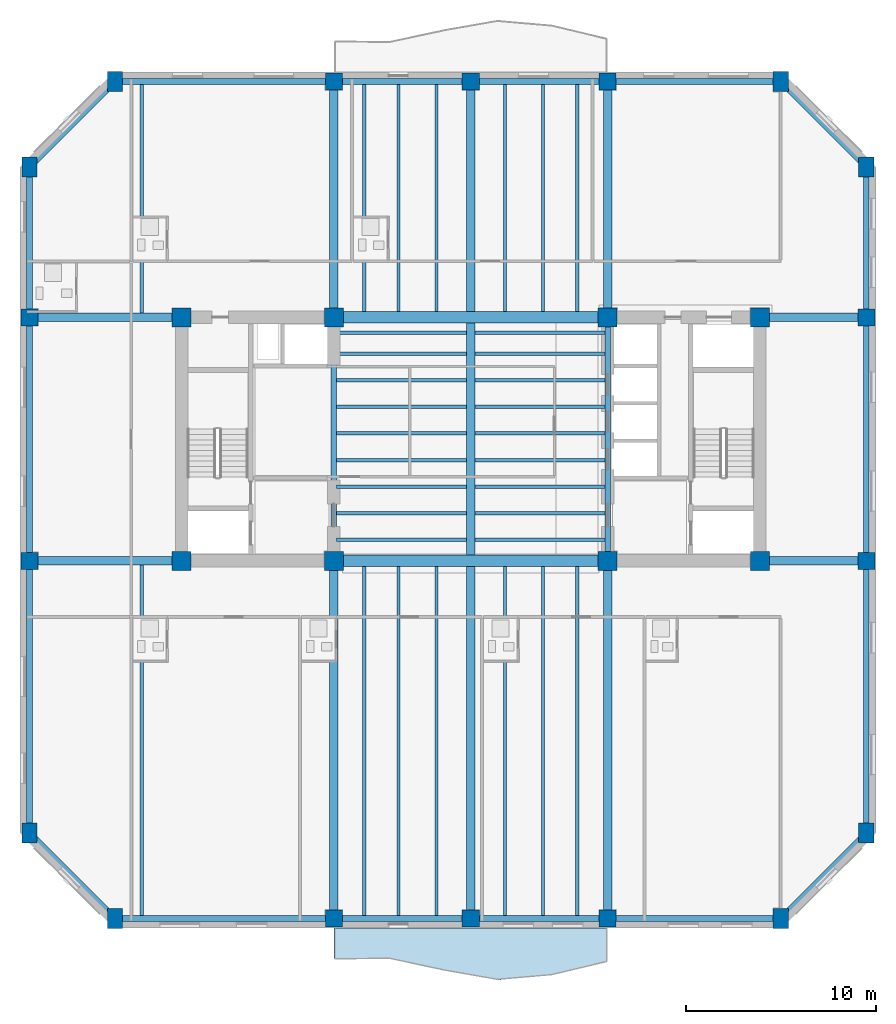
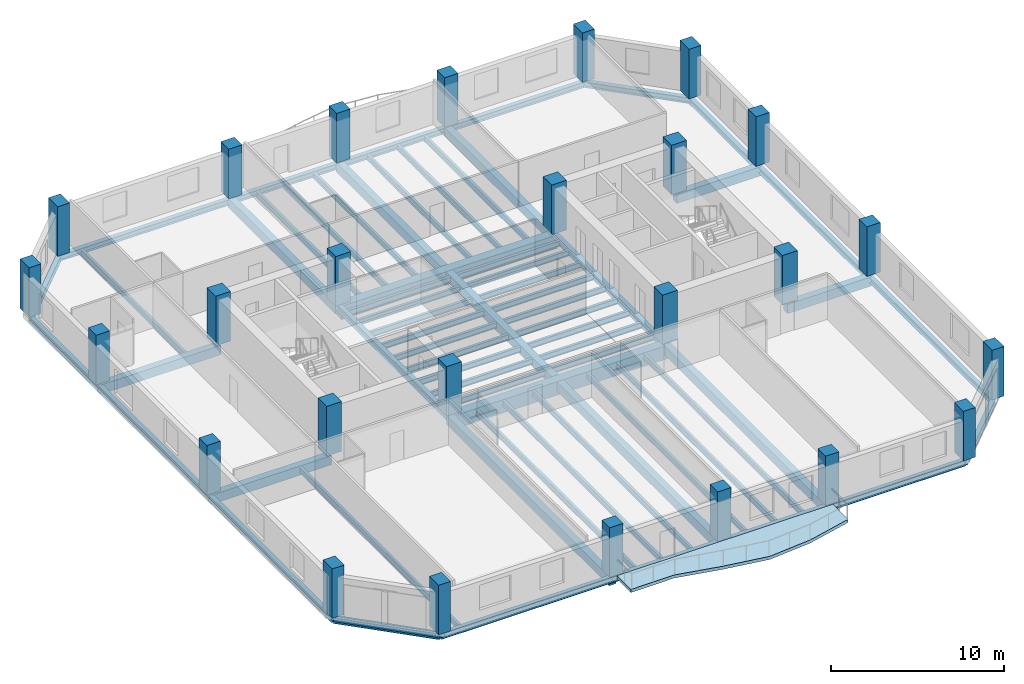
# One storey, part 1 of 10: 65 beams, 26 columns, 1 slab.
"""IFC4 building model written with IfcOpenShell, lengths in metres."""

from ifc_helpers import new_model, si_unit, direction, frame, origin, origin_2d, place, context, subcontext, project, spatial, polyline, rectangle, i_section, outline, extrude, material, layer, layer_set, material_profile, profile_set, type_object, element, save


model = new_model("IFC4")

# Units and contexts
model_context = context("Model", 3, precision=1e-05, world=origin(), true_north=direction((0.0, 1.0)))
body_context = subcontext(model_context, "Body", "Model", "MODEL_VIEW")
ifc_project = project(units=[si_unit("LENGTHUNIT", "METRE"), si_unit("AREAUNIT", "SQUARE_METRE"), si_unit("VOLUMEUNIT", "CUBIC_METRE"), si_unit("PLANEANGLEUNIT", "RADIAN"), si_unit("MASSUNIT", "GRAM", prefix="KILO")], contexts=[model_context])

# Site, building, storey
site_placement = place(None, origin())
site = spatial("IfcSite", under=ifc_project, at=site_placement, CompositionType="ELEMENT")
building_placement = place(site_placement, origin())
building = spatial("IfcBuilding", under=site, at=building_placement, Name="Kranthara Brick Stack", CompositionType="ELEMENT")
storey_placement = place(building_placement, frame((0.0, 0.0, 127.300048828125)))
storey = spatial("IfcBuildingStorey", under=building, at=storey_placement, Name="L31", CompositionType="ELEMENT", Elevation=127.300048828125)

# Columns
ifc_material_1 = material(Name="Concrete C60/75", Category="concrete")
ifc_material_profile_1 = material_profile(ifc_material_1, rectangle(XDim=0.800048828125, YDim=1.050048828125, at=origin_2d()), Name="RC 800x1050")
ifc_profile_set_1 = profile_set([ifc_material_profile_1], Name="Concrete C60/75")
column_type_1 = type_object("IfcColumnType", Name="COL-CHAM-800x1050", PredefinedType="COLUMN", material=ifc_profile_set_1)
for number, where, z_axis, x_axis, name in (
    (1, (9.300048828125, 2.0, 0.0), (0.0, 0.0, 1.0), (1.0, 0.0, 0.0), "L31 Column 09"),
    (2, (9.300048828125, 46.0, 0.0), (0.0, 0.0, 1.0), (1.0, 0.0, 0.0), "L31 Column 10"),
    (3, (44.300048828125, 2.0, 0.0), (0.0, 0.0, 1.0), (1.0, 0.0, 0.0), "L31 Column 17"),
    (4, (44.300048828125, 46.0, 0.0), (0.0, 0.0, 1.0), (1.0, 0.0, 0.0), "L31 Column 18"),
    (5, (4.800048828125, 6.5, 0.0), (0.0, 0.0, 1.0), (1.0, 0.0, 0.0), "L31 Column 19"),
    (6, (48.800048828125, 6.5, 0.0), (0.0, 0.0, 1.0), (1.0, 0.0, 0.0), "L31 Column 20"),
    (7, (4.800048828125, 41.5, 0.0), (0.0, 0.0, 1.0), (1.0, 0.0, 0.0), "L31 Column 25"),
    (8, (48.800048828125, 41.5, 0.0), (0.0, 0.0, 1.0), (1.0, 0.0, 0.0), "L31 Column 26"),
):
    element("IfcColumn", number, at=place(storey_placement, frame(where, z_axis=z_axis, x_axis=x_axis)), inside=storey, type_object=column_type_1, Name=name, PredefinedType="COLUMN", context=body_context, shape_type="SweptSolid", body=[
        extrude(rectangle(XDim=0.800048828125, YDim=1.050048828125, at=origin_2d()), origin(), (0.0, 0.0, 1.0), 3.5),
    ])
ifc_material_2 = material(Name="Concrete C60/75", Category="concrete")
ifc_material_profile_2 = material_profile(ifc_material_2, rectangle(XDim=1.0, YDim=1.0, at=origin_2d()), Name="RC 1000x1000")
ifc_profile_set_2 = profile_set([ifc_material_profile_2], Name="Concrete C60/75")
column_type_2 = type_object("IfcColumnType", Name="COL-CORE-1000", PredefinedType="COLUMN", material=ifc_profile_set_2)
for number, where, z_axis, x_axis, name in (
    (9, (12.800048828125, 20.800048828125, 0.0), (0.0, 0.0, 1.0), (1.0, 0.0, 0.0), "L31 Column 01"),
    (10, (20.800048828125, 20.800048828125, 0.0), (0.0, 0.0, 1.0), (1.0, 0.0, 0.0), "L31 Column 02"),
    (11, (12.800048828125, 33.60009765625, 0.0), (0.0, 0.0, 1.0), (1.0, 0.0, 0.0), "L31 Column 03"),
    (12, (20.800048828125, 33.60009765625, 0.0), (0.0, 0.0, 1.0), (1.0, 0.0, 0.0), "L31 Column 04"),
    (13, (35.199951171875, 20.800048828125, 0.0), (0.0, 0.0, 1.0), (1.0, 0.0, 0.0), "L31 Column 05"),
    (14, (43.199951171875, 20.800048828125, 0.0), (0.0, 0.0, 1.0), (1.0, 0.0, 0.0), "L31 Column 06"),
    (15, (35.199951171875, 33.60009765625, 0.0), (0.0, 0.0, 1.0), (1.0, 0.0, 0.0), "L31 Column 07"),
    (16, (43.199951171875, 33.60009765625, 0.0), (0.0, 0.0, 1.0), (1.0, 0.0, 0.0), "L31 Column 08"),
):
    element("IfcColumn", number, at=place(storey_placement, frame(where, z_axis=z_axis, x_axis=x_axis)), inside=storey, type_object=column_type_2, Name=name, PredefinedType="COLUMN", context=body_context, shape_type="SweptSolid", body=[
        extrude(rectangle(XDim=1.0, YDim=1.0, at=origin_2d()), origin(), (0.0, 0.0, 1.0), 3.5),
    ])
ifc_material_3 = material(Name="Concrete C60/75", Category="concrete")
ifc_material_profile_3 = material_profile(ifc_material_3, rectangle(XDim=0.89990234375, YDim=0.89990234375, at=origin_2d()), Name="RC 900x900")
ifc_profile_set_3 = profile_set([ifc_material_profile_3], Name="Concrete C60/75")
column_type_3 = type_object("IfcColumnType", Name="COL-PER-900", PredefinedType="COLUMN", material=ifc_profile_set_3)
for number, where, z_axis, x_axis, name in (
    (17, (20.800048828125, 2.0, 0.0), (0.0, 0.0, 1.0), (1.0, 0.0, 0.0), "L31 Column 11"),
    (18, (20.800048828125, 46.0, 0.0), (0.0, 0.0, 1.0), (1.0, 0.0, 0.0), "L31 Column 12"),
    (19, (28.0, 2.0, 0.0), (0.0, 0.0, 1.0), (1.0, 0.0, 0.0), "L31 Column 13"),
    (20, (28.0, 46.0, 0.0), (0.0, 0.0, 1.0), (1.0, 0.0, 0.0), "L31 Column 14"),
    (21, (35.199951171875, 2.0, 0.0), (0.0, 0.0, 1.0), (1.0, 0.0, 0.0), "L31 Column 15"),
    (22, (35.199951171875, 46.0, 0.0), (0.0, 0.0, 1.0), (1.0, 0.0, 0.0), "L31 Column 16"),
    (23, (4.800048828125, 20.800048828125, 0.0), (0.0, 0.0, 1.0), (1.0, 0.0, 0.0), "L31 Column 21"),
    (24, (48.800048828125, 20.800048828125, 0.0), (0.0, 0.0, 1.0), (1.0, 0.0, 0.0), "L31 Column 22"),
    (25, (4.800048828125, 33.60009765625, 0.0), (0.0, 0.0, 1.0), (1.0, 0.0, 0.0), "L31 Column 23"),
    (26, (48.800048828125, 33.60009765625, 0.0), (0.0, 0.0, 1.0), (1.0, 0.0, 0.0), "L31 Column 24"),
):
    element("IfcColumn", number, at=place(storey_placement, frame(where, z_axis=z_axis, x_axis=x_axis)), inside=storey, type_object=column_type_3, Name=name, PredefinedType="COLUMN", context=body_context, shape_type="SweptSolid", body=[
        extrude(rectangle(XDim=0.89990234375, YDim=0.89990234375, at=origin_2d()), origin(), (0.0, 0.0, 1.0), 3.5),
    ])

# Beams
ifc_material_4 = material(Name="Concrete C60/75", Category="concrete")
ifc_material_profile_4 = material_profile(ifc_material_4, rectangle(XDim=0.60009765625, YDim=0.949951171875, at=origin_2d()), Name="RC 600x950")
ifc_profile_set_4 = profile_set([ifc_material_profile_4], Name="Concrete C60/75")
beam_type_1 = type_object("IfcBeamType", Name="BM-CPL-RC950", PredefinedType="LINTEL", material=ifc_profile_set_4)
for number, where, z_axis, x_axis, name in (
    (27, (20.800048828125, 20.800048828125, -0.775146484375), (1.0, 0.0, 0.0), (0.0, 1.0, 0.0), "L31 Core Coupling Beam 001"),
    (28, (20.800048828125, 33.60009765625, -0.775146484375), (1.0, 0.0, 0.0), (0.0, 1.0, 0.0), "L31 Core Coupling Beam 002"),
):
    element("IfcBeam", number, at=place(storey_placement, frame(where, z_axis=z_axis, x_axis=x_axis)), inside=storey, type_object=beam_type_1, Name=name, PredefinedType="LINTEL", context=body_context, shape_type="SweptSolid", body=[
        extrude(rectangle(XDim=0.60009765625, YDim=0.949951171875, at=origin_2d()), origin(), (0.0, 0.0, 1.0), 14.39990234375),
    ])
ifc_material_5 = material(Name="Post-tensioned concrete C45/55", Category="concrete")
ifc_material_profile_5 = material_profile(ifc_material_5, rectangle(XDim=0.449951171875, YDim=0.64990234375, at=origin_2d()), Name="PT 450x650")
ifc_profile_set_5 = profile_set([ifc_material_profile_5], Name="Post-tensioned concrete C45/55")
beam_type_2 = type_object("IfcBeamType", Name="BM-FLR-PT650", PredefinedType="BEAM", material=ifc_profile_set_5)
beam_1_placement = place(storey_placement, frame((20.800048828125, 2.0, -0.625), z_axis=(0.0, 1.0, 0.0), x_axis=(-1.0, 0.0, 0.0)))
element("IfcBeam", 29, at=beam_1_placement, inside=storey, type_object=beam_type_2, Name="L31 Primary Grid Girder 023", PredefinedType="BEAM", context=body_context, shape_type="SweptSolid", body=[
    extrude(rectangle(XDim=0.449951171875, YDim=0.64990234375, at=origin_2d()), origin(), (0.0, 0.0, 1.0), 18.800048828125),
])
beam_2_placement = place(storey_placement, frame((20.800048828125, 33.60009765625, -0.625), z_axis=(0.0, 1.0, 0.0), x_axis=(-1.0, 0.0, 0.0)))
element("IfcBeam", 30, at=beam_2_placement, inside=storey, type_object=beam_type_2, Name="L31 Primary Grid Girder 024", PredefinedType="BEAM", context=body_context, shape_type="SweptSolid", body=[
    extrude(rectangle(XDim=0.449951171875, YDim=0.64990234375, at=origin_2d()), origin(), (0.0, 0.0, 1.0), 12.39990234375),
])
beam_3_placement = place(storey_placement, frame((28.0, 2.0, -0.625), z_axis=(0.0, 1.0, 0.0), x_axis=(-1.0, 0.0, 0.0)))
element("IfcBeam", 31, at=beam_3_placement, inside=storey, type_object=beam_type_2, Name="L31 Primary Grid Girder 025", PredefinedType="BEAM", context=body_context, shape_type="SweptSolid", body=[
    extrude(rectangle(XDim=0.449951171875, YDim=0.64990234375, at=origin_2d()), origin(), (0.0, 0.0, 1.0), 18.5),
])
beam_4_placement = place(storey_placement, frame((28.0, 21.10009765625, -0.625), z_axis=(0.0, 1.0, 0.0), x_axis=(-1.0, 0.0, 0.0)))
element("IfcBeam", 32, at=beam_4_placement, inside=storey, type_object=beam_type_2, Name="L31 Central Spine Girder 026", PredefinedType="BEAM", context=body_context, shape_type="SweptSolid", body=[
    extrude(rectangle(XDim=0.449951171875, YDim=0.64990234375, at=origin_2d()), origin(), (0.0, 0.0, 1.0), 12.199951171875),
])
beam_5_placement = place(storey_placement, frame((28.0, 33.89990234375, -0.625), z_axis=(0.0, 1.0, 0.0), x_axis=(-1.0, 0.0, 0.0)))
element("IfcBeam", 33, at=beam_5_placement, inside=storey, type_object=beam_type_2, Name="L31 Primary Grid Girder 027", PredefinedType="BEAM", context=body_context, shape_type="SweptSolid", body=[
    extrude(rectangle(XDim=0.449951171875, YDim=0.64990234375, at=origin_2d()), origin(), (0.0, 0.0, 1.0), 12.10009765625),
])
beam_6_placement = place(storey_placement, frame((35.199951171875, 2.0, -0.625), z_axis=(0.0, 1.0, 0.0), x_axis=(-1.0, 0.0, 0.0)))
element("IfcBeam", 34, at=beam_6_placement, inside=storey, type_object=beam_type_2, Name="L31 Primary Grid Girder 028", PredefinedType="BEAM", context=body_context, shape_type="SweptSolid", body=[
    extrude(rectangle(XDim=0.449951171875, YDim=0.64990234375, at=origin_2d()), origin(), (0.0, 0.0, 1.0), 18.800048828125),
])
beam_7_placement = place(storey_placement, frame((35.199951171875, 33.60009765625, -0.625), z_axis=(0.0, 1.0, 0.0), x_axis=(-1.0, 0.0, 0.0)))
element("IfcBeam", 35, at=beam_7_placement, inside=storey, type_object=beam_type_2, Name="L31 Primary Grid Girder 029", PredefinedType="BEAM", context=body_context, shape_type="SweptSolid", body=[
    extrude(rectangle(XDim=0.449951171875, YDim=0.64990234375, at=origin_2d()), origin(), (0.0, 0.0, 1.0), 12.39990234375),
])
beam_8_placement = place(storey_placement, frame((4.800048828125, 20.800048828125, -0.625), z_axis=(1.0, 0.0, 0.0), x_axis=(0.0, 1.0, 0.0)))
element("IfcBeam", 36, at=beam_8_placement, inside=storey, type_object=beam_type_2, Name="L31 Primary Grid Girder 030", PredefinedType="BEAM", context=body_context, shape_type="SweptSolid", body=[
    extrude(rectangle(XDim=0.449951171875, YDim=0.64990234375, at=origin_2d()), origin(), (0.0, 0.0, 1.0), 8.0),
])
beam_9_placement = place(storey_placement, frame((43.199951171875, 20.800048828125, -0.625), z_axis=(1.0, 0.0, 0.0), x_axis=(0.0, 1.0, 0.0)))
element("IfcBeam", 37, at=beam_9_placement, inside=storey, type_object=beam_type_2, Name="L31 Primary Grid Girder 031", PredefinedType="BEAM", context=body_context, shape_type="SweptSolid", body=[
    extrude(rectangle(XDim=0.449951171875, YDim=0.64990234375, at=origin_2d()), origin(), (0.0, 0.0, 1.0), 5.60009765625),
])
beam_10_placement = place(storey_placement, frame((4.800048828125, 33.60009765625, -0.625), z_axis=(1.0, 0.0, 0.0), x_axis=(0.0, 1.0, 0.0)))
element("IfcBeam", 38, at=beam_10_placement, inside=storey, type_object=beam_type_2, Name="L31 Primary Grid Girder 032", PredefinedType="BEAM", context=body_context, shape_type="SweptSolid", body=[
    extrude(rectangle(XDim=0.449951171875, YDim=0.64990234375, at=origin_2d()), origin(), (0.0, 0.0, 1.0), 8.0),
])
beam_11_placement = place(storey_placement, frame((43.199951171875, 33.60009765625, -0.625), z_axis=(1.0, 0.0, 0.0), x_axis=(0.0, 1.0, 0.0)))
element("IfcBeam", 39, at=beam_11_placement, inside=storey, type_object=beam_type_2, Name="L31 Primary Grid Girder 033", PredefinedType="BEAM", context=body_context, shape_type="SweptSolid", body=[
    extrude(rectangle(XDim=0.449951171875, YDim=0.64990234375, at=origin_2d()), origin(), (0.0, 0.0, 1.0), 5.60009765625),
])
ifc_material_6 = material(Name="Steel S355", Category="steel")
ifc_material_profile_6 = material_profile(ifc_material_6, i_section(OverallWidth=0.179931640625, OverallDepth=0.39990234375, WebThickness=0.008544921875, FlangeThickness=0.013427734375, at=origin_2d()), Name="IPE 400")
ifc_profile_set_6 = profile_set([ifc_material_profile_6], Name="Steel S355")
beam_type_3 = type_object("IfcBeamType", Name="BM-JST-IPE400", PredefinedType="JOIST", material=ifc_profile_set_6)
for number, where, z_axis, x_axis, name in (
    (40, (20.949951171875, 21.89990234375, -0.5), (1.0, 0.0, 0.0), (0.0, 1.0, 0.0), "L31 Central Floor Joist 034"),
    (41, (28.22509765625, 21.89990234375, -0.5), (1.0, 0.0, 0.0), (0.0, 1.0, 0.0), "L31 Central Floor Joist 035"),
    (42, (20.949951171875, 23.300048828125, -0.5), (1.0, 0.0, 0.0), (0.0, 1.0, 0.0), "L31 Central Floor Joist 036"),
    (43, (28.22509765625, 23.300048828125, -0.5), (1.0, 0.0, 0.0), (0.0, 1.0, 0.0), "L31 Central Floor Joist 037"),
    (44, (20.949951171875, 24.699951171875, -0.5), (1.0, 0.0, 0.0), (0.0, 1.0, 0.0), "L31 Central Floor Joist 038"),
    (45, (28.22509765625, 24.699951171875, -0.5), (1.0, 0.0, 0.0), (0.0, 1.0, 0.0), "L31 Central Floor Joist 039"),
    (46, (20.949951171875, 26.10009765625, -0.5), (1.0, 0.0, 0.0), (0.0, 1.0, 0.0), "L31 Central Floor Joist 040"),
    (47, (28.22509765625, 26.10009765625, -0.5), (1.0, 0.0, 0.0), (0.0, 1.0, 0.0), "L31 Central Floor Joist 041"),
    (48, (20.949951171875, 27.5, -0.5), (1.0, 0.0, 0.0), (0.0, 1.0, 0.0), "L31 Central Floor Joist 042"),
    (49, (28.22509765625, 27.5, -0.5), (1.0, 0.0, 0.0), (0.0, 1.0, 0.0), "L31 Central Floor Joist 043"),
    (50, (20.949951171875, 28.89990234375, -0.5), (1.0, 0.0, 0.0), (0.0, 1.0, 0.0), "L31 Central Floor Joist 044"),
    (51, (28.22509765625, 28.89990234375, -0.5), (1.0, 0.0, 0.0), (0.0, 1.0, 0.0), "L31 Central Floor Joist 045"),
    (52, (20.949951171875, 30.300048828125, -0.5), (1.0, 0.0, 0.0), (0.0, 1.0, 0.0), "L31 Central Floor Joist 046"),
    (53, (28.22509765625, 30.300048828125, -0.5), (1.0, 0.0, 0.0), (0.0, 1.0, 0.0), "L31 Central Floor Joist 047"),
    (54, (20.949951171875, 31.699951171875, -0.5), (1.0, 0.0, 0.0), (0.0, 1.0, 0.0), "L31 Central Floor Joist 048"),
    (55, (28.22509765625, 31.699951171875, -0.5), (1.0, 0.0, 0.0), (0.0, 1.0, 0.0), "L31 Central Floor Joist 049"),
    (56, (20.949951171875, 32.800048828125, -0.5), (1.0, 0.0, 0.0), (0.0, 1.0, 0.0), "L31 Central Floor Joist 050"),
    (57, (28.22509765625, 32.800048828125, -0.5), (1.0, 0.0, 0.0), (0.0, 1.0, 0.0), "L31 Central Floor Joist 051"),
):
    element("IfcBeam", number, at=place(storey_placement, frame(where, z_axis=z_axis, x_axis=x_axis)), inside=storey, type_object=beam_type_3, Name=name, PredefinedType="JOIST", context=body_context, shape_type="SweptSolid", body=[
        extrude(i_section(OverallWidth=0.179931640625, OverallDepth=0.39990234375, WebThickness=0.008544921875, FlangeThickness=0.013427734375, at=origin_2d()), origin(), (0.0, 0.0, 1.0), 6.824951171875),
    ])
beam_12_placement = place(storey_placement, frame((10.699951171875, 2.14990234375, -0.5), z_axis=(0.0, 1.0, 0.0), x_axis=(-1.0, 0.0, 0.0)))
element("IfcBeam", 58, at=beam_12_placement, inside=storey, type_object=beam_type_3, Name="L31 South Wing Floor Joist 052", PredefinedType="JOIST", context=body_context, shape_type="SweptSolid", body=[
    extrude(i_section(OverallWidth=0.179931640625, OverallDepth=0.39990234375, WebThickness=0.008544921875, FlangeThickness=0.013427734375, at=origin_2d()), origin(), (0.0, 0.0, 1.0), 18.425048828125),
])
beam_13_placement = place(storey_placement, frame((10.699951171875, 33.824951171875, -0.5), z_axis=(0.0, 1.0, 0.0), x_axis=(-1.0, 0.0, 0.0)))
element("IfcBeam", 59, at=beam_13_placement, inside=storey, type_object=beam_type_3, Name="L31 North Wing Floor Joist 053", PredefinedType="JOIST", context=body_context, shape_type="SweptSolid", body=[
    extrude(i_section(OverallWidth=0.179931640625, OverallDepth=0.39990234375, WebThickness=0.008544921875, FlangeThickness=0.013427734375, at=origin_2d()), origin(), (0.0, 0.0, 1.0), 12.025146484375),
])
beam_14_placement = place(storey_placement, frame((22.39990234375, 2.14990234375, -0.5), z_axis=(0.0, 1.0, 0.0), x_axis=(-1.0, 0.0, 0.0)))
element("IfcBeam", 60, at=beam_14_placement, inside=storey, type_object=beam_type_3, Name="L31 South Wing Floor Joist 054", PredefinedType="JOIST", context=body_context, shape_type="SweptSolid", body=[
    extrude(i_section(OverallWidth=0.179931640625, OverallDepth=0.39990234375, WebThickness=0.008544921875, FlangeThickness=0.013427734375, at=origin_2d()), origin(), (0.0, 0.0, 1.0), 18.35009765625),
])
beam_15_placement = place(storey_placement, frame((22.39990234375, 33.89990234375, -0.5), z_axis=(0.0, 1.0, 0.0), x_axis=(-1.0, 0.0, 0.0)))
element("IfcBeam", 61, at=beam_15_placement, inside=storey, type_object=beam_type_3, Name="L31 North Wing Floor Joist 055", PredefinedType="JOIST", context=body_context, shape_type="SweptSolid", body=[
    extrude(i_section(OverallWidth=0.179931640625, OverallDepth=0.39990234375, WebThickness=0.008544921875, FlangeThickness=0.013427734375, at=origin_2d()), origin(), (0.0, 0.0, 1.0), 11.9501953125),
])
beam_16_placement = place(storey_placement, frame((24.199951171875, 2.14990234375, -0.5), z_axis=(0.0, 1.0, 0.0), x_axis=(-1.0, 0.0, 0.0)))
element("IfcBeam", 62, at=beam_16_placement, inside=storey, type_object=beam_type_3, Name="L31 South Wing Floor Joist 056", PredefinedType="JOIST", context=body_context, shape_type="SweptSolid", body=[
    extrude(i_section(OverallWidth=0.179931640625, OverallDepth=0.39990234375, WebThickness=0.008544921875, FlangeThickness=0.013427734375, at=origin_2d()), origin(), (0.0, 0.0, 1.0), 18.35009765625),
])
beam_17_placement = place(storey_placement, frame((24.199951171875, 33.89990234375, -0.5), z_axis=(0.0, 1.0, 0.0), x_axis=(-1.0, 0.0, 0.0)))
element("IfcBeam", 63, at=beam_17_placement, inside=storey, type_object=beam_type_3, Name="L31 North Wing Floor Joist 057", PredefinedType="JOIST", context=body_context, shape_type="SweptSolid", body=[
    extrude(i_section(OverallWidth=0.179931640625, OverallDepth=0.39990234375, WebThickness=0.008544921875, FlangeThickness=0.013427734375, at=origin_2d()), origin(), (0.0, 0.0, 1.0), 11.9501953125),
])
beam_18_placement = place(storey_placement, frame((26.199951171875, 2.14990234375, -0.5), z_axis=(0.0, 1.0, 0.0), x_axis=(-1.0, 0.0, 0.0)))
element("IfcBeam", 64, at=beam_18_placement, inside=storey, type_object=beam_type_3, Name="L31 South Wing Floor Joist 058", PredefinedType="JOIST", context=body_context, shape_type="SweptSolid", body=[
    extrude(i_section(OverallWidth=0.179931640625, OverallDepth=0.39990234375, WebThickness=0.008544921875, FlangeThickness=0.013427734375, at=origin_2d()), origin(), (0.0, 0.0, 1.0), 18.35009765625),
])
beam_19_placement = place(storey_placement, frame((26.199951171875, 33.89990234375, -0.5), z_axis=(0.0, 1.0, 0.0), x_axis=(-1.0, 0.0, 0.0)))
element("IfcBeam", 65, at=beam_19_placement, inside=storey, type_object=beam_type_3, Name="L31 North Wing Floor Joist 059", PredefinedType="JOIST", context=body_context, shape_type="SweptSolid", body=[
    extrude(i_section(OverallWidth=0.179931640625, OverallDepth=0.39990234375, WebThickness=0.008544921875, FlangeThickness=0.013427734375, at=origin_2d()), origin(), (0.0, 0.0, 1.0), 11.9501953125),
])
beam_20_placement = place(storey_placement, frame((29.800048828125, 2.14990234375, -0.5), z_axis=(0.0, 1.0, 0.0), x_axis=(-1.0, 0.0, 0.0)))
element("IfcBeam", 66, at=beam_20_placement, inside=storey, type_object=beam_type_3, Name="L31 South Wing Floor Joist 060", PredefinedType="JOIST", context=body_context, shape_type="SweptSolid", body=[
    extrude(i_section(OverallWidth=0.179931640625, OverallDepth=0.39990234375, WebThickness=0.008544921875, FlangeThickness=0.013427734375, at=origin_2d()), origin(), (0.0, 0.0, 1.0), 18.35009765625),
])
beam_21_placement = place(storey_placement, frame((29.800048828125, 33.89990234375, -0.5), z_axis=(0.0, 1.0, 0.0), x_axis=(-1.0, 0.0, 0.0)))
element("IfcBeam", 67, at=beam_21_placement, inside=storey, type_object=beam_type_3, Name="L31 North Wing Floor Joist 061", PredefinedType="JOIST", context=body_context, shape_type="SweptSolid", body=[
    extrude(i_section(OverallWidth=0.179931640625, OverallDepth=0.39990234375, WebThickness=0.008544921875, FlangeThickness=0.013427734375, at=origin_2d()), origin(), (0.0, 0.0, 1.0), 11.9501953125),
])
beam_22_placement = place(storey_placement, frame((31.800048828125, 2.14990234375, -0.5), z_axis=(0.0, 1.0, 0.0), x_axis=(-1.0, 0.0, 0.0)))
element("IfcBeam", 68, at=beam_22_placement, inside=storey, type_object=beam_type_3, Name="L31 South Wing Floor Joist 062", PredefinedType="JOIST", context=body_context, shape_type="SweptSolid", body=[
    extrude(i_section(OverallWidth=0.179931640625, OverallDepth=0.39990234375, WebThickness=0.008544921875, FlangeThickness=0.013427734375, at=origin_2d()), origin(), (0.0, 0.0, 1.0), 18.35009765625),
])
beam_23_placement = place(storey_placement, frame((31.800048828125, 33.89990234375, -0.5), z_axis=(0.0, 1.0, 0.0), x_axis=(-1.0, 0.0, 0.0)))
element("IfcBeam", 69, at=beam_23_placement, inside=storey, type_object=beam_type_3, Name="L31 North Wing Floor Joist 063", PredefinedType="JOIST", context=body_context, shape_type="SweptSolid", body=[
    extrude(i_section(OverallWidth=0.179931640625, OverallDepth=0.39990234375, WebThickness=0.008544921875, FlangeThickness=0.013427734375, at=origin_2d()), origin(), (0.0, 0.0, 1.0), 11.9501953125),
])
beam_24_placement = place(storey_placement, frame((33.60009765625, 2.14990234375, -0.5), z_axis=(0.0, 1.0, 0.0), x_axis=(-1.0, 0.0, 0.0)))
element("IfcBeam", 70, at=beam_24_placement, inside=storey, type_object=beam_type_3, Name="L31 South Wing Floor Joist 064", PredefinedType="JOIST", context=body_context, shape_type="SweptSolid", body=[
    extrude(i_section(OverallWidth=0.179931640625, OverallDepth=0.39990234375, WebThickness=0.008544921875, FlangeThickness=0.013427734375, at=origin_2d()), origin(), (0.0, 0.0, 1.0), 18.35009765625),
])
beam_25_placement = place(storey_placement, frame((33.60009765625, 33.89990234375, -0.5), z_axis=(0.0, 1.0, 0.0), x_axis=(-1.0, 0.0, 0.0)))
element("IfcBeam", 71, at=beam_25_placement, inside=storey, type_object=beam_type_3, Name="L31 North Wing Floor Joist 065", PredefinedType="JOIST", context=body_context, shape_type="SweptSolid", body=[
    extrude(i_section(OverallWidth=0.179931640625, OverallDepth=0.39990234375, WebThickness=0.008544921875, FlangeThickness=0.013427734375, at=origin_2d()), origin(), (0.0, 0.0, 1.0), 11.9501953125),
])
ifc_material_7 = material(Name="Steel S355", Category="steel")
ifc_material_profile_7 = material_profile(ifc_material_7, i_section(OverallWidth=0.300048828125, OverallDepth=0.39990234375, WebThickness=0.013427734375, FlangeThickness=0.02392578125, at=origin_2d()), Name="HEB 400")
ifc_profile_set_7 = profile_set([ifc_material_profile_7], Name="Steel S355")
beam_type_4 = type_object("IfcBeamType", Name="BM-STL-HEB400", PredefinedType="SPANDREL", material=ifc_profile_set_7)
beam_26_placement = place(storey_placement, frame((9.300048828125, 2.0, -0.5), z_axis=(1.0, 0.0, 0.0), x_axis=(0.0, 1.0, 0.0)))
element("IfcBeam", 72, at=beam_26_placement, inside=storey, type_object=beam_type_4, Name="L31 Perimeter Spandrel Beam 005", PredefinedType="SPANDREL", context=body_context, shape_type="SweptSolid", body=[
    extrude(i_section(OverallWidth=0.300048828125, OverallDepth=0.39990234375, WebThickness=0.013427734375, FlangeThickness=0.02392578125, at=origin_2d()), origin(), (0.0, 0.0, 1.0), 11.5),
])
for number, where, z_axis, x_axis, name in (
    (73, (20.800048828125, 2.0, -0.5), (1.0, 0.0, 0.0), (0.0, 1.0, 0.0), "L31 Perimeter Spandrel Beam 006"),
    (74, (28.0, 2.0, -0.5), (1.0, 0.0, 0.0), (0.0, 1.0, 0.0), "L31 Perimeter Spandrel Beam 007"),
):
    element("IfcBeam", number, at=place(storey_placement, frame(where, z_axis=z_axis, x_axis=x_axis)), inside=storey, type_object=beam_type_4, Name=name, PredefinedType="SPANDREL", context=body_context, shape_type="SweptSolid", body=[
        extrude(i_section(OverallWidth=0.300048828125, OverallDepth=0.39990234375, WebThickness=0.013427734375, FlangeThickness=0.02392578125, at=origin_2d()), origin(), (0.0, 0.0, 1.0), 7.199951171875),
    ])
beam_27_placement = place(storey_placement, frame((35.199951171875, 2.0, -0.5), z_axis=(1.0, 0.0, 0.0), x_axis=(0.0, 1.0, 0.0)))
element("IfcBeam", 75, at=beam_27_placement, inside=storey, type_object=beam_type_4, Name="L31 Perimeter Spandrel Beam 008", PredefinedType="SPANDREL", context=body_context, shape_type="SweptSolid", body=[
    extrude(i_section(OverallWidth=0.300048828125, OverallDepth=0.39990234375, WebThickness=0.013427734375, FlangeThickness=0.02392578125, at=origin_2d()), origin(), (0.0, 0.0, 1.0), 9.10009765625),
])
beam_28_placement = place(storey_placement, frame((9.300048828125, 46.0, -0.5), z_axis=(1.0, 0.0, 0.0), x_axis=(0.0, 1.0, 0.0)))
element("IfcBeam", 76, at=beam_28_placement, inside=storey, type_object=beam_type_4, Name="L31 Perimeter Spandrel Beam 009", PredefinedType="SPANDREL", context=body_context, shape_type="SweptSolid", body=[
    extrude(i_section(OverallWidth=0.300048828125, OverallDepth=0.39990234375, WebThickness=0.013427734375, FlangeThickness=0.02392578125, at=origin_2d()), origin(), (0.0, 0.0, 1.0), 11.5),
])
for number, where, z_axis, x_axis, name in (
    (77, (20.800048828125, 46.0, -0.5), (1.0, 0.0, 0.0), (0.0, 1.0, 0.0), "L31 Perimeter Spandrel Beam 010"),
    (78, (28.0, 46.0, -0.5), (1.0, 0.0, 0.0), (0.0, 1.0, 0.0), "L31 Perimeter Spandrel Beam 011"),
):
    element("IfcBeam", number, at=place(storey_placement, frame(where, z_axis=z_axis, x_axis=x_axis)), inside=storey, type_object=beam_type_4, Name=name, PredefinedType="SPANDREL", context=body_context, shape_type="SweptSolid", body=[
        extrude(i_section(OverallWidth=0.300048828125, OverallDepth=0.39990234375, WebThickness=0.013427734375, FlangeThickness=0.02392578125, at=origin_2d()), origin(), (0.0, 0.0, 1.0), 7.199951171875),
    ])
beam_29_placement = place(storey_placement, frame((35.199951171875, 46.0, -0.5), z_axis=(1.0, 0.0, 0.0), x_axis=(0.0, 1.0, 0.0)))
element("IfcBeam", 79, at=beam_29_placement, inside=storey, type_object=beam_type_4, Name="L31 Perimeter Spandrel Beam 012", PredefinedType="SPANDREL", context=body_context, shape_type="SweptSolid", body=[
    extrude(i_section(OverallWidth=0.300048828125, OverallDepth=0.39990234375, WebThickness=0.013427734375, FlangeThickness=0.02392578125, at=origin_2d()), origin(), (0.0, 0.0, 1.0), 9.10009765625),
])
beam_30_placement = place(storey_placement, frame((4.800048828125, 6.5, -0.5), z_axis=(0.0, 1.0, 0.0), x_axis=(-1.0, 0.0, 0.0)))
element("IfcBeam", 80, at=beam_30_placement, inside=storey, type_object=beam_type_4, Name="L31 Perimeter Spandrel Beam 013", PredefinedType="SPANDREL", context=body_context, shape_type="SweptSolid", body=[
    extrude(i_section(OverallWidth=0.300048828125, OverallDepth=0.39990234375, WebThickness=0.013427734375, FlangeThickness=0.02392578125, at=origin_2d()), origin(), (0.0, 0.0, 1.0), 14.300048828125),
])
beam_31_placement = place(storey_placement, frame((4.800048828125, 20.800048828125, -0.5), z_axis=(0.0, 1.0, 0.0), x_axis=(-1.0, 0.0, 0.0)))
element("IfcBeam", 81, at=beam_31_placement, inside=storey, type_object=beam_type_4, Name="L31 Perimeter Spandrel Beam 014", PredefinedType="SPANDREL", context=body_context, shape_type="SweptSolid", body=[
    extrude(i_section(OverallWidth=0.300048828125, OverallDepth=0.39990234375, WebThickness=0.013427734375, FlangeThickness=0.02392578125, at=origin_2d()), origin(), (0.0, 0.0, 1.0), 12.800048828125),
])
beam_32_placement = place(storey_placement, frame((4.800048828125, 33.60009765625, -0.5), z_axis=(0.0, 1.0, 0.0), x_axis=(-1.0, 0.0, 0.0)))
element("IfcBeam", 82, at=beam_32_placement, inside=storey, type_object=beam_type_4, Name="L31 Perimeter Spandrel Beam 015", PredefinedType="SPANDREL", context=body_context, shape_type="SweptSolid", body=[
    extrude(i_section(OverallWidth=0.300048828125, OverallDepth=0.39990234375, WebThickness=0.013427734375, FlangeThickness=0.02392578125, at=origin_2d()), origin(), (0.0, 0.0, 1.0), 7.89990234375),
])
beam_33_placement = place(storey_placement, frame((48.800048828125, 6.5, -0.5), z_axis=(0.0, 1.0, 0.0), x_axis=(-1.0, 0.0, 0.0)))
element("IfcBeam", 83, at=beam_33_placement, inside=storey, type_object=beam_type_4, Name="L31 Perimeter Spandrel Beam 016", PredefinedType="SPANDREL", context=body_context, shape_type="SweptSolid", body=[
    extrude(i_section(OverallWidth=0.300048828125, OverallDepth=0.39990234375, WebThickness=0.013427734375, FlangeThickness=0.02392578125, at=origin_2d()), origin(), (0.0, 0.0, 1.0), 14.300048828125),
])
beam_34_placement = place(storey_placement, frame((48.800048828125, 20.800048828125, -0.5), z_axis=(0.0, 1.0, 0.0), x_axis=(-1.0, 0.0, 0.0)))
element("IfcBeam", 84, at=beam_34_placement, inside=storey, type_object=beam_type_4, Name="L31 Perimeter Spandrel Beam 017", PredefinedType="SPANDREL", context=body_context, shape_type="SweptSolid", body=[
    extrude(i_section(OverallWidth=0.300048828125, OverallDepth=0.39990234375, WebThickness=0.013427734375, FlangeThickness=0.02392578125, at=origin_2d()), origin(), (0.0, 0.0, 1.0), 12.800048828125),
])
beam_35_placement = place(storey_placement, frame((48.800048828125, 33.60009765625, -0.5), z_axis=(0.0, 1.0, 0.0), x_axis=(-1.0, 0.0, 0.0)))
element("IfcBeam", 85, at=beam_35_placement, inside=storey, type_object=beam_type_4, Name="L31 Perimeter Spandrel Beam 018", PredefinedType="SPANDREL", context=body_context, shape_type="SweptSolid", body=[
    extrude(i_section(OverallWidth=0.300048828125, OverallDepth=0.39990234375, WebThickness=0.013427734375, FlangeThickness=0.02392578125, at=origin_2d()), origin(), (0.0, 0.0, 1.0), 7.89990234375),
])
for number, where, z_axis, x_axis, name in (
    (86, (9.300048828125, 2.0, -0.5), (-0.707106781187, 0.707106781187, 0.0), (-0.707106781187, -0.707106781187, 0.0), "L31 Chamfer Corner Spandrel 019"),
    (87, (44.300048828125, 2.0, -0.5), (0.707106781187, 0.707106781187, 0.0), (-0.707106781187, 0.707106781187, 0.0), "L31 Chamfer Corner Spandrel 020"),
    (88, (9.300048828125, 46.0, -0.5), (-0.707106781187, -0.707106781187, 0.0), (0.707106781187, -0.707106781187, 0.0), "L31 Chamfer Corner Spandrel 021"),
    (89, (44.300048828125, 46.0, -0.5), (0.707106781187, -0.707106781187, 0.0), (0.707106781187, 0.707106781187, 0.0), "L31 Chamfer Corner Spandrel 022"),
):
    element("IfcBeam", number, at=place(storey_placement, frame(where, z_axis=z_axis, x_axis=x_axis)), inside=storey, type_object=beam_type_4, Name=name, PredefinedType="SPANDREL", context=body_context, shape_type="SweptSolid", body=[
        extrude(i_section(OverallWidth=0.300048828125, OverallDepth=0.39990234375, WebThickness=0.013427734375, FlangeThickness=0.02392578125, at=origin_2d()), origin(), (0.0, 0.0, 1.0), 6.364013671875),
    ])
ifc_material_8 = material(Name="Steel S355", Category="steel")
ifc_material_profile_8 = material_profile(ifc_material_8, i_section(OverallWidth=0.300048828125, OverallDepth=0.449951171875, WebThickness=0.013916015625, FlangeThickness=0.02587890625, at=origin_2d()), Name="HEB 450")
ifc_profile_set_8 = profile_set([ifc_material_profile_8], Name="Steel S355")
beam_type_5 = type_object("IfcBeamType", Name="BM-STL-HEB450", PredefinedType="SPANDREL", material=ifc_profile_set_8)
for number, where, z_axis, x_axis, name in (
    (90, (20.800048828125, 20.800048828125, -0.525146484375), (0.0, 1.0, 0.0), (-1.0, 0.0, 0.0), "L31 Core Edge Tie Beam 003"),
    (91, (35.199951171875, 20.800048828125, -0.525146484375), (0.0, 1.0, 0.0), (-1.0, 0.0, 0.0), "L31 Core Edge Tie Beam 004"),
):
    element("IfcBeam", number, at=place(storey_placement, frame(where, z_axis=z_axis, x_axis=x_axis)), inside=storey, type_object=beam_type_5, Name=name, PredefinedType="SPANDREL", context=body_context, shape_type="SweptSolid", body=[
        extrude(i_section(OverallWidth=0.300048828125, OverallDepth=0.449951171875, WebThickness=0.013916015625, FlangeThickness=0.02587890625, at=origin_2d()), origin(), (0.0, 0.0, 1.0), 12.800048828125),
    ])

# Slab
ifc_material_9 = material(Name="Concrete C45/55", Category="concrete")
ifc_layer = layer(ifc_material_9, 0.219970703125)
ifc_layer_set = layer_set([ifc_layer], Name="Concrete C45/55")
slab_type = type_object("IfcSlabType", Name="SLB-BALC-220", PredefinedType="FLOOR", material=ifc_layer_set)
slab_placement = place(storey_placement, frame((0.0, 0.0, -0.219970703125)))
element("IfcSlab", 92, at=slab_placement, inside=storey, type_object=slab_type, Name="L31 South Rippling Balcony Slab", PredefinedType="FLOOR", context=body_context, shape_type="SweptSolid", body=[
    extrude(outline(polyline([(20.800048828125, 1.5), (35.199951171875, 1.5), (35.199951171875, -0.26611328125), (32.320068359375, -0.966796875), (29.43994140625, -1.23779296875), (26.56005859375, -0.738037109375), (23.679931640625, -0.09619140625), (20.800048828125, -0.119384765625), (20.800048828125, 1.5)])), origin(), (0.0, 0.0, 1.0), 0.219970703125),
])

save(model, "model.ifc")
